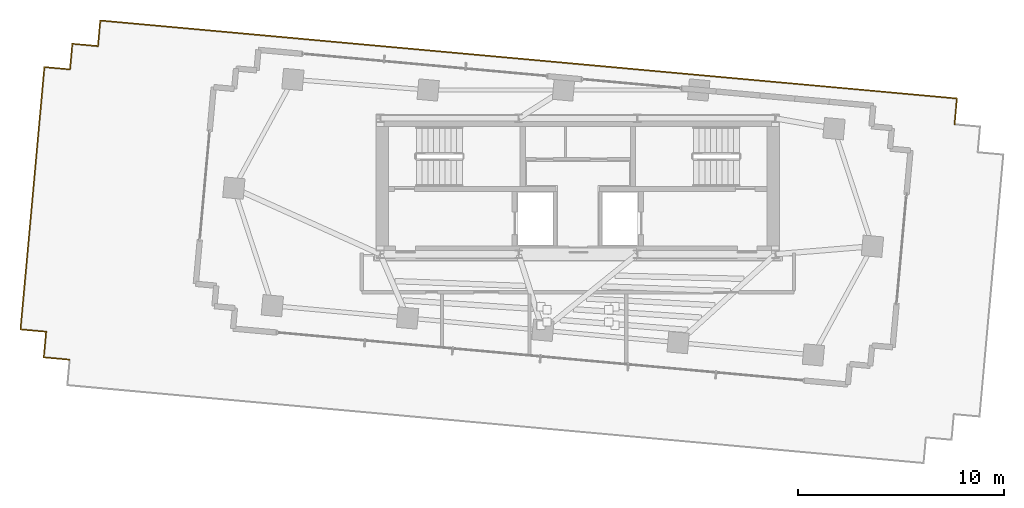
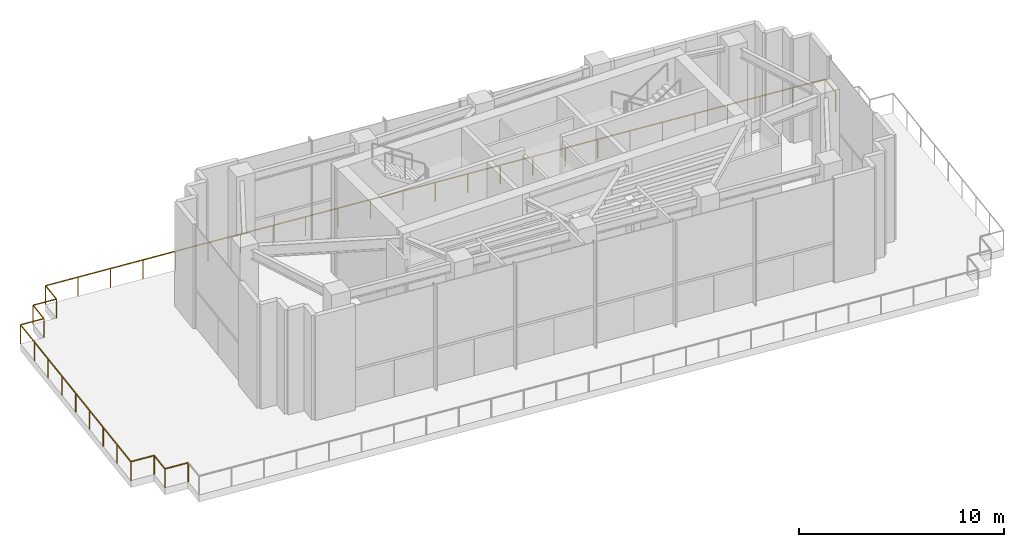
# One storey, part 15 of 18: 1 railing.
"""IFC4 building model written with IfcOpenShell, lengths in metres."""

import ifcopenshell
import ifcopenshell.guid

model = None  # the IFC model being written
_history = None  # IfcOwnerHistory: only IFC2X3 demands one
_inside = {}  # id of a spatial element -> (the spatial element, [elements in it])
_under = {}  # id of a project, library or spatial element -> (it, [spatial elements below it])
_declared = {}  # id of a project -> (the project, [libraries it declares])
_typed = {}  # id of a type object -> (the type object, [elements of that type])
_made_of = {}  # id of a material, layer set ... -> (it, [elements and type objects made of it])


def new_model(schema):
    """Start an empty IFC model of exactly this schema.

    Asked for "IFC4X3", IfcOpenShell would pick the latest addendum, in which some entities
    have other attributes; the version numbers below select the first issue.
    IFC2X3 requires an IfcOwnerHistory on every rooted entity: one is made here for all.
    """
    global model, _history
    if schema == "IFC4X3":
        model = ifcopenshell.file(schema_version=(4, 3, 0, 0))
    else:
        model = ifcopenshell.file(schema=schema)
    _inside.clear()
    _under.clear()
    _declared.clear()
    _typed.clear()
    _made_of.clear()
    _history = None
    if model.schema == "IFC2X3":
        org = make("IfcOrganization", Name="unknown")
        user = make(
            "IfcPersonAndOrganization",
            ThePerson=make("IfcPerson", FamilyName="unknown"),
            TheOrganization=org,
        )
        app = make(
            "IfcApplication",
            ApplicationDeveloper=org,
            Version="unknown",
            ApplicationFullName="unknown",
            ApplicationIdentifier="unknown",
        )
        _history = make(
            "IfcOwnerHistory",
            OwningUser=user,
            OwningApplication=app,
            ChangeAction="ADDED",
            CreationDate=0,
        )
    return model


def make(cls, **values):
    """One entity of the class cls with the attributes given. An attribute that is None is left unset."""
    return model.create_entity(
        cls, **{name: value for name, value in values.items() if value is not None}
    )


def rooted(cls, **values):
    """An entity with a GlobalId (a new one), such as an element, a storey or a relation."""
    return make(cls, GlobalId=ifcopenshell.guid.new(), OwnerHistory=_history, **values)


def si_unit(unit_type, name, prefix=None):
    """IfcSIUnit, for example si_unit("LENGTHUNIT", "METRE", prefix="MILLI")."""
    return make("IfcSIUnit", UnitType=unit_type, Prefix=prefix, Name=name)


def assignment(units):
    """IfcUnitAssignment: the units of a project."""
    return None if units is None else make("IfcUnitAssignment", Units=units)


def point(xyz):
    """IfcCartesianPoint."""
    return None if xyz is None else make("IfcCartesianPoint", Coordinates=xyz)


def direction(xyz):
    """IfcDirection."""
    return None if xyz is None else make("IfcDirection", DirectionRatios=xyz)


def frame(location, z_axis=None, x_axis=None):
    """IfcAxis2Placement3D, a coordinate frame: its origin and axes. An axis left out is left unset."""
    return make(
        "IfcAxis2Placement3D",
        Location=point(location),
        Axis=direction(z_axis),
        RefDirection=direction(x_axis),
    )


def frame_2d(location, x_axis=None):
    """IfcAxis2Placement2D, a coordinate frame in the plane: its origin and x axis."""
    return make(
        "IfcAxis2Placement2D", Location=point(location), RefDirection=direction(x_axis)
    )


def origin():
    """The frame at (0, 0, 0) with its axes left unset."""
    return frame((0.0, 0.0, 0.0))


def origin_2d():
    """The frame at (0, 0) in the plane with its x axis left unset."""
    return frame_2d((0.0, 0.0))


def place(relative_to, where):
    """IfcLocalPlacement: puts the frame where relative to a parent placement (None: the world)."""
    return make(
        "IfcLocalPlacement", PlacementRelTo=relative_to, RelativePlacement=where
    )


def context(
    kind, dimensions, precision=None, world=None, true_north=None, identifier=None
):
    """IfcGeometricRepresentationContext, for example the 3D "Model" context."""
    return make(
        "IfcGeometricRepresentationContext",
        ContextIdentifier=identifier,
        ContextType=kind,
        CoordinateSpaceDimension=dimensions,
        Precision=precision,
        WorldCoordinateSystem=world,
        TrueNorth=true_north,
    )


def subcontext(parent, identifier, kind, view, scale=None):
    """IfcGeometricRepresentationSubContext, for example "Body" below "Model"."""
    return make(
        "IfcGeometricRepresentationSubContext",
        ContextIdentifier=identifier,
        ContextType=kind,
        ParentContext=parent,
        TargetScale=scale,
        TargetView=view,
    )


def project(units=None, contexts=None):
    """IfcProject with its units and contexts."""
    return rooted(
        "IfcProject",
        Name="project",
        RepresentationContexts=contexts,
        UnitsInContext=assignment(units),
    )


def spatial(cls, under=None, at=None, **own):
    """A site, building, storey or space (cls), placed at a placement, below another one or the project."""
    s = rooted(cls, ObjectPlacement=at, **own)
    if under is not None:
        _under.setdefault(under.id(), (under, []))[1].append(s)
    return s


def profile(cls, at=None, kind="AREA", **sizes):
    """A parametric profile (cls). Its sizes go by their IFC names, for example OverallWidth=200.0."""
    return make(cls, ProfileType=kind, Position=at, **sizes)


def rectangle(**sizes):
    """IfcRectangleProfileDef."""
    return profile("IfcRectangleProfileDef", **sizes)


def extrude(swept, where, along, depth):
    """IfcExtrudedAreaSolid: the profile swept, set in the frame where, extruded along a direction by depth."""
    return make(
        "IfcExtrudedAreaSolid",
        SweptArea=swept,
        Position=where,
        ExtrudedDirection=direction(along),
        Depth=depth,
    )


def shape(context_of_items, identifier, shape_type, items):
    """IfcShapeRepresentation: the items that make up one representation, for example the "Body"."""
    return make(
        "IfcShapeRepresentation",
        ContextOfItems=context_of_items,
        RepresentationIdentifier=identifier,
        RepresentationType=shape_type,
        Items=items,
    )


def source(mapping_origin, context_of_items, identifier, shape_type, items):
    """IfcRepresentationMap: a shape defined once, which mapped items show again and again."""
    return make(
        "IfcRepresentationMap",
        MappingOrigin=mapping_origin,
        MappedRepresentation=shape(context_of_items, identifier, shape_type, items),
    )


def transform(
    local_origin,
    x_axis=None,
    y_axis=None,
    z_axis=None,
    scale=None,
    scale2=None,
    scale3=None,
    uniform=True,
):
    """IfcCartesianTransformationOperator3D, or its non-uniform kind. x_axis, y_axis, z_axis: its Axis1, 2, 3."""
    if uniform:
        return make(
            "IfcCartesianTransformationOperator3D",
            Axis1=direction(x_axis),
            Axis2=direction(y_axis),
            LocalOrigin=point(local_origin),
            Scale=scale,
            Axis3=direction(z_axis),
        )
    return make(
        "IfcCartesianTransformationOperator3DnonUniform",
        Axis1=direction(x_axis),
        Axis2=direction(y_axis),
        LocalOrigin=point(local_origin),
        Scale=scale,
        Axis3=direction(z_axis),
        Scale2=scale2,
        Scale3=scale3,
    )


def mapped(mapping_source, mapping_target):
    """IfcMappedItem: shows the shape of a source again, moved by a transform."""
    return make(
        "IfcMappedItem", MappingSource=mapping_source, MappingTarget=mapping_target
    )


def material(Name=None, Category=None):
    """IfcMaterial."""
    return make("IfcMaterial", Name=Name, Category=Category)


def made_of(thing, what):
    """Note that an element or type object is made of a material, layer set ...; save() writes the relation."""
    if what is not None:
        _made_of.setdefault(what.id(), (what, []))[1].append(thing)
    return thing


def type_object(cls, material=None, **own):
    """A type object (cls), such as IfcWallType, which elements share."""
    return made_of(rooted(cls, **own), material)


def type_shapes(of_type, sources):
    """Give a type object the sources (RepresentationMaps) that its elements show as mapped items."""
    of_type.RepresentationMaps = sources


def element(
    cls,
    number,
    at=None,
    inside=None,
    cuts=None,
    type_object=None,
    material=None,
    context=None,
    identifier="Body",
    shape_type=None,
    held_by="IfcProductDefinitionShape",
    body=None,
    shapes=None,
    **own,
):
    """One element of the class cls, such as IfcWall. Its Tag is "e" and its number.

    at: its placement. inside: the storey or other place that contains it. cuts: it is an
    opening in that element (IfcRelVoidsElement). A single representation is given by context,
    identifier, shape_type and body (its items); several are given by shapes. held_by: the class
    of the entity that holds the representations. save() writes the other relations.
    """
    e = rooted(cls, Tag="e%d" % number, ObjectPlacement=at, **own)
    if body is not None:
        shapes = [shape(context, identifier, shape_type, body)]
    if shapes is not None:
        e.Representation = make(held_by, Representations=shapes)
    if inside is not None:
        _inside.setdefault(inside.id(), (inside, []))[1].append(e)
    if cuts is not None:
        rooted(
            "IfcRelVoidsElement", RelatingBuildingElement=cuts, RelatedOpeningElement=e
        )
    if type_object is not None:
        _typed.setdefault(type_object.id(), (type_object, []))[1].append(e)
    return made_of(e, material)


def aggregate(whole, parts):
    """IfcRelAggregates: a whole, such as a stair, and the parts it consists of."""
    return rooted("IfcRelAggregates", RelatingObject=whole, RelatedObjects=parts)


def save(model, path):
    """Write the relations noted so far, then the file.

    IfcRelAggregates (storeys below a building ...), IfcRelContainedInSpatialStructure (elements
    in a storey), IfcRelDefinesByType, IfcRelAssociatesMaterial and IfcRelDeclares: one each for
    every whole, place, type object, material and project.
    """
    for whole, parts in _under.values():
        aggregate(whole, parts)
    for where, things in _inside.values():
        rooted(
            "IfcRelContainedInSpatialStructure",
            RelatedElements=things,
            RelatingStructure=where,
        )
    for kind, things in _typed.values():
        rooted("IfcRelDefinesByType", RelatedObjects=things, RelatingType=kind)
    for what, things in _made_of.values():
        rooted("IfcRelAssociatesMaterial", RelatedObjects=things, RelatingMaterial=what)
    for by, libraries in _declared.values():
        rooted("IfcRelDeclares", RelatingContext=by, RelatedDefinitions=libraries)
    model.write(path)


model = new_model("IFC4")

# Units and contexts
model_context = context("Model", 3, precision=1e-05, world=origin(), true_north=direction((0.0, 1.0)))
body_context = subcontext(model_context, "Body", "Model", "MODEL_VIEW")
ifc_project = project(units=[si_unit("LENGTHUNIT", "METRE"), si_unit("AREAUNIT", "SQUARE_METRE"), si_unit("VOLUMEUNIT", "CUBIC_METRE"), si_unit("PLANEANGLEUNIT", "RADIAN"), si_unit("MASSUNIT", "GRAM", prefix="KILO")], contexts=[model_context])

# Site, building, storey
site_placement = place(None, origin())
site = spatial("IfcSite", under=ifc_project, at=site_placement, CompositionType="ELEMENT")
building_placement = place(site_placement, origin())
building = spatial("IfcBuilding", under=site, at=building_placement, Name="Astriad Promenade Condominiums", CompositionType="ELEMENT")
storey_placement = place(building_placement, frame((0.0, 0.0, 264.300048828125)))
storey = spatial("IfcBuildingStorey", under=building, at=storey_placement, Name="L76", CompositionType="ELEMENT", Elevation=264.300048828125)

# Railing
ifc_material = material(Name="Anodised Aluminium and Glass Terrace Guardrail", Category="aluminium")
railing_type = type_object("IfcRailingType", Name="GRD-TERR-1150", PredefinedType="GUARDRAIL", material=ifc_material)
shared_shape = source(origin(), body_context, "Body", "SweptSolid", [
    extrude(rectangle(XDim=0.048095703125, YDim=0.048095703125, at=origin_2d()), frame((0.0, 0.0, 1.1259765625), z_axis=(-0.995885198071, 0.090623795235, 0.0), x_axis=(-0.090623795235, -0.995885198071, 0.0)), (0.0, 0.0, 1.0), 1.25),
    extrude(rectangle(XDim=0.048095703125, YDim=0.048095703125, at=origin_2d()), frame((-1.244873046875, 0.11328125, 1.1259765625), z_axis=(0.090623795235, 0.995885198071, 0.0), x_axis=(-0.995885198071, 0.090623795235, 0.0)), (0.0, 0.0, 1.0), 1.25),
    extrude(rectangle(XDim=0.048095703125, YDim=0.048095703125, at=origin_2d()), frame((-1.131591796875, 1.358154296875, 1.1259765625), z_axis=(-0.995885198071, 0.090623795235, 0.0), x_axis=(-0.090623795235, -0.995885198071, 0.0)), (0.0, 0.0, 1.0), 1.25),
    extrude(rectangle(XDim=0.048095703125, YDim=0.048095703125, at=origin_2d()), frame((-2.37646484375, 1.471435546875, 1.1259765625), z_axis=(0.09063721027, 0.995883977236, 0.0), x_axis=(-0.995883977236, 0.09063721027, 0.0)), (0.0, 0.0, 1.0), 12.800048828125),
    extrude(rectangle(XDim=0.048095703125, YDim=0.048095703125, at=origin_2d()), frame((-1.21630859375, 14.21875, 1.1259765625), z_axis=(0.995885198071, -0.090623795235, 0.0), x_axis=(0.090623795235, 0.995885198071, 0.0)), (0.0, 0.0, 1.0), 1.25),
    extrude(rectangle(XDim=0.048095703125, YDim=0.048095703125, at=origin_2d()), frame((0.028564453125, 14.10546875, 1.1259765625), z_axis=(0.090623795235, 0.995885198071, 0.0), x_axis=(-0.995885198071, 0.090623795235, 0.0)), (0.0, 0.0, 1.0), 1.25),
    extrude(rectangle(XDim=0.048095703125, YDim=0.048095703125, at=origin_2d()), frame((0.141845703125, 15.350341796875, 1.1259765625), z_axis=(0.995885198071, -0.090623795235, 0.0), x_axis=(0.090623795235, 0.995885198071, 0.0)), (0.0, 0.0, 1.0), 1.25),
    extrude(rectangle(XDim=0.048095703125, YDim=0.048095703125, at=origin_2d()), frame((1.38671875, 15.237060546875, 1.1259765625), z_axis=(0.090430084209, 0.995902806437, 0.0), x_axis=(-0.995902806437, 0.090430084209, 0.0)), (0.0, 0.0, 1.0), 1.25),
    extrude(rectangle(XDim=0.048095703125, YDim=0.048095703125, at=origin_2d()), frame((1.499755859375, 16.48193359375, 1.1259765625), z_axis=(0.995884680441, -0.090629483408, 0.0), x_axis=(0.090629483408, 0.995884680441, 0.0)), (0.0, 0.0, 1.0), 41.80029296875),
    extrude(rectangle(XDim=0.048095703125, YDim=0.048095703125, at=origin_2d()), frame((43.1279296875, 12.693603515625, 1.1259765625), z_axis=(-0.090623795235, -0.995885198071, 0.0), x_axis=(0.995885198071, -0.090623795235, 0.0)), (0.0, 0.0, 1.0), 1.25),
    extrude(rectangle(XDim=0.0419921875, YDim=0.0419921875, at=origin_2d()), origin(), (0.0, 0.0, 1.0), 1.101806640625),
    extrude(rectangle(XDim=0.0419921875, YDim=0.0419921875, at=origin_2d()), frame((-1.244873046875, 0.11328125, 0.0)), (0.0, 0.0, 1.0), 1.101806640625),
    extrude(rectangle(XDim=0.0419921875, YDim=0.0419921875, at=origin_2d()), frame((-1.131591796875, 1.358154296875, 0.0)), (0.0, 0.0, 1.0), 1.101806640625),
    extrude(rectangle(XDim=0.0419921875, YDim=0.0419921875, at=origin_2d()), frame((-2.37646484375, 1.471435546875, 0.0)), (0.0, 0.0, 1.0), 1.101806640625),
    extrude(rectangle(XDim=0.0419921875, YDim=0.0419921875, at=origin_2d()), frame((-2.2314453125, 3.06494140625, 0.0)), (0.0, 0.0, 1.0), 1.101806640625),
    extrude(rectangle(XDim=0.0419921875, YDim=0.0419921875, at=origin_2d()), frame((-2.08642578125, 4.658203125, 0.0)), (0.0, 0.0, 1.0), 1.101806640625),
    extrude(rectangle(XDim=0.0419921875, YDim=0.0419921875, at=origin_2d()), frame((-1.94140625, 6.251708984375, 0.0)), (0.0, 0.0, 1.0), 1.101806640625),
    extrude(rectangle(XDim=0.0419921875, YDim=0.0419921875, at=origin_2d()), frame((-1.79638671875, 7.84521484375, 0.0)), (0.0, 0.0, 1.0), 1.101806640625),
    extrude(rectangle(XDim=0.0419921875, YDim=0.0419921875, at=origin_2d()), frame((-1.6513671875, 9.4384765625, 0.0)), (0.0, 0.0, 1.0), 1.101806640625),
    extrude(rectangle(XDim=0.0419921875, YDim=0.0419921875, at=origin_2d()), frame((-1.50634765625, 11.031982421875, 0.0)), (0.0, 0.0, 1.0), 1.101806640625),
    extrude(rectangle(XDim=0.0419921875, YDim=0.0419921875, at=origin_2d()), frame((-1.361328125, 12.625244140625, 0.0)), (0.0, 0.0, 1.0), 1.101806640625),
    extrude(rectangle(XDim=0.0419921875, YDim=0.0419921875, at=origin_2d()), frame((-1.21630859375, 14.21875, 0.0)), (0.0, 0.0, 1.0), 1.101806640625),
    extrude(rectangle(XDim=0.0419921875, YDim=0.0419921875, at=origin_2d()), frame((0.028564453125, 14.10546875, 0.0)), (0.0, 0.0, 1.0), 1.101806640625),
    extrude(rectangle(XDim=0.0419921875, YDim=0.0419921875, at=origin_2d()), frame((0.141845703125, 15.350341796875, 0.0)), (0.0, 0.0, 1.0), 1.101806640625),
    extrude(rectangle(XDim=0.0419921875, YDim=0.0419921875, at=origin_2d()), frame((1.38671875, 15.237060546875, 0.0)), (0.0, 0.0, 1.0), 1.101806640625),
    extrude(rectangle(XDim=0.0419921875, YDim=0.0419921875, at=origin_2d()), frame((1.499755859375, 16.48193359375, 0.0)), (0.0, 0.0, 1.0), 1.101806640625),
    extrude(rectangle(XDim=0.0419921875, YDim=0.0419921875, at=origin_2d()), frame((3.234375, 16.323974609375, 0.0)), (0.0, 0.0, 1.0), 1.101806640625),
    extrude(rectangle(XDim=0.0419921875, YDim=0.0419921875, at=origin_2d()), frame((4.96875, 16.166259765625, 0.0)), (0.0, 0.0, 1.0), 1.101806640625),
    extrude(rectangle(XDim=0.0419921875, YDim=0.0419921875, at=origin_2d()), frame((6.703369140625, 16.00830078125, 0.0)), (0.0, 0.0, 1.0), 1.101806640625),
    extrude(rectangle(XDim=0.0419921875, YDim=0.0419921875, at=origin_2d()), frame((8.437744140625, 15.8505859375, 0.0)), (0.0, 0.0, 1.0), 1.101806640625),
    extrude(rectangle(XDim=0.0419921875, YDim=0.0419921875, at=origin_2d()), frame((10.17236328125, 15.692626953125, 0.0)), (0.0, 0.0, 1.0), 1.101806640625),
    extrude(rectangle(XDim=0.0419921875, YDim=0.0419921875, at=origin_2d()), frame((11.90673828125, 15.534912109375, 0.0)), (0.0, 0.0, 1.0), 1.101806640625),
    extrude(rectangle(XDim=0.0419921875, YDim=0.0419921875, at=origin_2d()), frame((13.641357421875, 15.376953125, 0.0)), (0.0, 0.0, 1.0), 1.101806640625),
    extrude(rectangle(XDim=0.0419921875, YDim=0.0419921875, at=origin_2d()), frame((15.375732421875, 15.21923828125, 0.0)), (0.0, 0.0, 1.0), 1.101806640625),
    extrude(rectangle(XDim=0.0419921875, YDim=0.0419921875, at=origin_2d()), frame((17.1103515625, 15.061279296875, 0.0)), (0.0, 0.0, 1.0), 1.101806640625),
    extrude(rectangle(XDim=0.0419921875, YDim=0.0419921875, at=origin_2d()), frame((18.8447265625, 14.903564453125, 0.0)), (0.0, 0.0, 1.0), 1.101806640625),
    extrude(rectangle(XDim=0.0419921875, YDim=0.0419921875, at=origin_2d()), frame((20.579345703125, 14.74560546875, 0.0)), (0.0, 0.0, 1.0), 1.101806640625),
    extrude(rectangle(XDim=0.0419921875, YDim=0.0419921875, at=origin_2d()), frame((22.31396484375, 14.587890625, 0.0)), (0.0, 0.0, 1.0), 1.101806640625),
    extrude(rectangle(XDim=0.0419921875, YDim=0.0419921875, at=origin_2d()), frame((24.04833984375, 14.429931640625, 0.0)), (0.0, 0.0, 1.0), 1.101806640625),
    extrude(rectangle(XDim=0.0419921875, YDim=0.0419921875, at=origin_2d()), frame((25.782958984375, 14.27197265625, 0.0)), (0.0, 0.0, 1.0), 1.101806640625),
    extrude(rectangle(XDim=0.0419921875, YDim=0.0419921875, at=origin_2d()), frame((27.517333984375, 14.1142578125, 0.0)), (0.0, 0.0, 1.0), 1.101806640625),
    extrude(rectangle(XDim=0.0419921875, YDim=0.0419921875, at=origin_2d()), frame((29.251953125, 13.956298828125, 0.0)), (0.0, 0.0, 1.0), 1.101806640625),
    extrude(rectangle(XDim=0.0419921875, YDim=0.0419921875, at=origin_2d()), frame((30.986328125, 13.798583984375, 0.0)), (0.0, 0.0, 1.0), 1.101806640625),
    extrude(rectangle(XDim=0.0419921875, YDim=0.0419921875, at=origin_2d()), frame((32.720947265625, 13.640625, 0.0)), (0.0, 0.0, 1.0), 1.101806640625),
    extrude(rectangle(XDim=0.0419921875, YDim=0.0419921875, at=origin_2d()), frame((34.455322265625, 13.48291015625, 0.0)), (0.0, 0.0, 1.0), 1.101806640625),
    extrude(rectangle(XDim=0.0419921875, YDim=0.0419921875, at=origin_2d()), frame((36.18994140625, 13.324951171875, 0.0)), (0.0, 0.0, 1.0), 1.101806640625),
    extrude(rectangle(XDim=0.0419921875, YDim=0.0419921875, at=origin_2d()), frame((37.92431640625, 13.167236328125, 0.0)), (0.0, 0.0, 1.0), 1.101806640625),
    extrude(rectangle(XDim=0.0419921875, YDim=0.0419921875, at=origin_2d()), frame((39.658935546875, 13.00927734375, 0.0)), (0.0, 0.0, 1.0), 1.101806640625),
    extrude(rectangle(XDim=0.0419921875, YDim=0.0419921875, at=origin_2d()), frame((41.393310546875, 12.8515625, 0.0)), (0.0, 0.0, 1.0), 1.101806640625),
    extrude(rectangle(XDim=0.0419921875, YDim=0.0419921875, at=origin_2d()), frame((43.1279296875, 12.693603515625, 0.0)), (0.0, 0.0, 1.0), 1.101806640625),
    extrude(rectangle(XDim=0.0419921875, YDim=0.0419921875, at=origin_2d()), frame((43.0146484375, 11.44873046875, 0.0)), (0.0, 0.0, 1.0), 1.101806640625),
])
type_shapes(railing_type, [shared_shape])
railing_placement = place(storey_placement, frame((11.292724609375, 12.275634765625, 0.0)))
element("IfcRailing", 1, at=railing_placement, inside=storey, type_object=railing_type, Name="GRD-TSTEP-L76-01", PredefinedType="GUARDRAIL", context=body_context, shape_type="MappedRepresentation", body=[
    mapped(shared_shape, transform((0.0, 0.0, 0.0), scale=1.0)),
])

save(model, "model.ifc")
